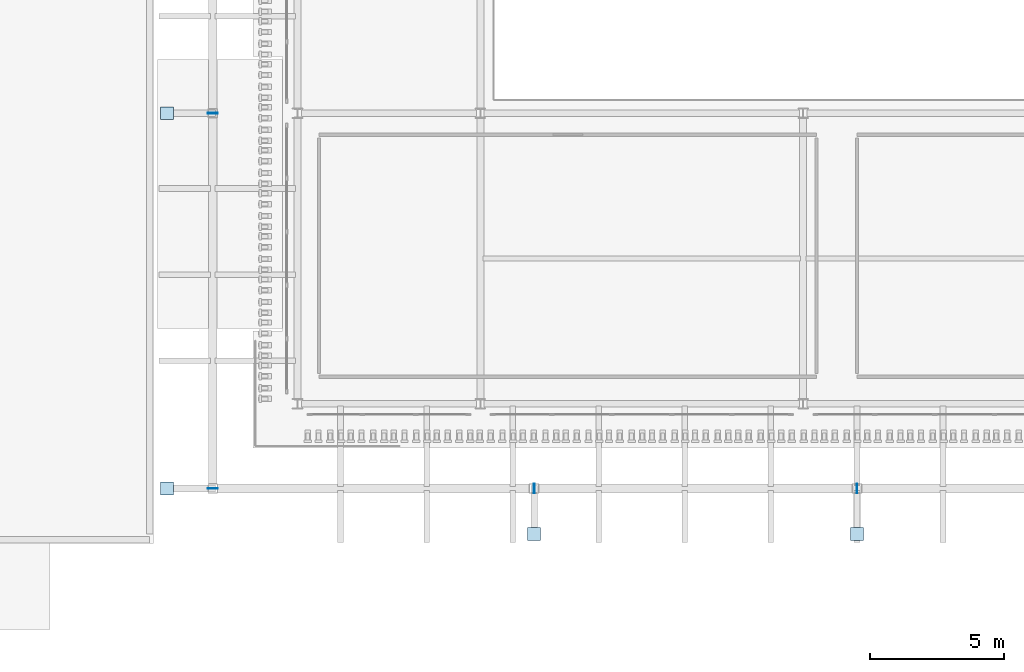
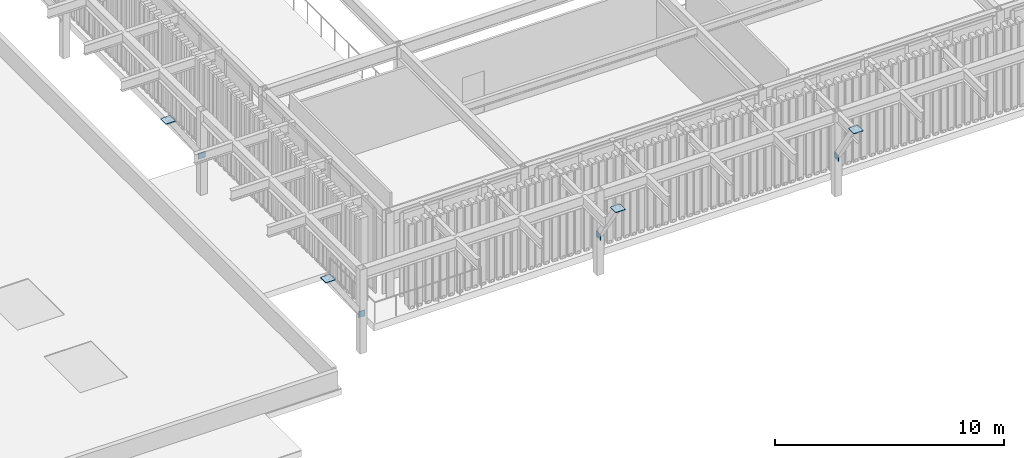
# One storey, part 81 of 126: 8 plates.
"""IFC4 building model written with IfcOpenShell, lengths in metres."""

import ifcopenshell
import ifcopenshell.guid

model = None  # the IFC model being written
_history = None  # IfcOwnerHistory: only IFC2X3 demands one
_inside = {}  # id of a spatial element -> (the spatial element, [elements in it])
_under = {}  # id of a project, library or spatial element -> (it, [spatial elements below it])
_declared = {}  # id of a project -> (the project, [libraries it declares])
_typed = {}  # id of a type object -> (the type object, [elements of that type])
_made_of = {}  # id of a material, layer set ... -> (it, [elements and type objects made of it])


def new_model(schema):
    """Start an empty IFC model of exactly this schema.

    Asked for "IFC4X3", IfcOpenShell would pick the latest addendum, in which some entities
    have other attributes; the version numbers below select the first issue.
    IFC2X3 requires an IfcOwnerHistory on every rooted entity: one is made here for all.
    """
    global model, _history
    if schema == "IFC4X3":
        model = ifcopenshell.file(schema_version=(4, 3, 0, 0))
    else:
        model = ifcopenshell.file(schema=schema)
    _inside.clear()
    _under.clear()
    _declared.clear()
    _typed.clear()
    _made_of.clear()
    _history = None
    if model.schema == "IFC2X3":
        org = make("IfcOrganization", Name="unknown")
        user = make(
            "IfcPersonAndOrganization",
            ThePerson=make("IfcPerson", FamilyName="unknown"),
            TheOrganization=org,
        )
        app = make(
            "IfcApplication",
            ApplicationDeveloper=org,
            Version="unknown",
            ApplicationFullName="unknown",
            ApplicationIdentifier="unknown",
        )
        _history = make(
            "IfcOwnerHistory",
            OwningUser=user,
            OwningApplication=app,
            ChangeAction="ADDED",
            CreationDate=0,
        )
    return model


def make(cls, **values):
    """One entity of the class cls with the attributes given. An attribute that is None is left unset."""
    return model.create_entity(
        cls, **{name: value for name, value in values.items() if value is not None}
    )


def rooted(cls, **values):
    """An entity with a GlobalId (a new one), such as an element, a storey or a relation."""
    return make(cls, GlobalId=ifcopenshell.guid.new(), OwnerHistory=_history, **values)


def si_unit(unit_type, name, prefix=None):
    """IfcSIUnit, for example si_unit("LENGTHUNIT", "METRE", prefix="MILLI")."""
    return make("IfcSIUnit", UnitType=unit_type, Prefix=prefix, Name=name)


def derived_unit(unit_type, elements):
    """IfcDerivedUnit: a product of units, each with its exponent."""
    return make(
        "IfcDerivedUnit",
        Elements=[
            make("IfcDerivedUnitElement", Unit=unit, Exponent=power)
            for unit, power in elements
        ],
        UnitType=unit_type,
    )


def assignment(units):
    """IfcUnitAssignment: the units of a project."""
    return None if units is None else make("IfcUnitAssignment", Units=units)


def point(xyz):
    """IfcCartesianPoint."""
    return None if xyz is None else make("IfcCartesianPoint", Coordinates=xyz)


def direction(xyz):
    """IfcDirection."""
    return None if xyz is None else make("IfcDirection", DirectionRatios=xyz)


def frame(location, z_axis=None, x_axis=None):
    """IfcAxis2Placement3D, a coordinate frame: its origin and axes. An axis left out is left unset."""
    return make(
        "IfcAxis2Placement3D",
        Location=point(location),
        Axis=direction(z_axis),
        RefDirection=direction(x_axis),
    )


def frame_2d(location, x_axis=None):
    """IfcAxis2Placement2D, a coordinate frame in the plane: its origin and x axis."""
    return make(
        "IfcAxis2Placement2D", Location=point(location), RefDirection=direction(x_axis)
    )


def origin():
    """The frame at (0, 0, 0) with its axes left unset."""
    return frame((0.0, 0.0, 0.0))


def origin_2d():
    """The frame at (0, 0) in the plane with its x axis left unset."""
    return frame_2d((0.0, 0.0))


def place(relative_to, where):
    """IfcLocalPlacement: puts the frame where relative to a parent placement (None: the world)."""
    return make(
        "IfcLocalPlacement", PlacementRelTo=relative_to, RelativePlacement=where
    )


def context(
    kind, dimensions, precision=None, world=None, true_north=None, identifier=None
):
    """IfcGeometricRepresentationContext, for example the 3D "Model" context."""
    return make(
        "IfcGeometricRepresentationContext",
        ContextIdentifier=identifier,
        ContextType=kind,
        CoordinateSpaceDimension=dimensions,
        Precision=precision,
        WorldCoordinateSystem=world,
        TrueNorth=true_north,
    )


def subcontext(parent, identifier, kind, view, scale=None):
    """IfcGeometricRepresentationSubContext, for example "Body" below "Model"."""
    return make(
        "IfcGeometricRepresentationSubContext",
        ContextIdentifier=identifier,
        ContextType=kind,
        ParentContext=parent,
        TargetScale=scale,
        TargetView=view,
    )


def project(units=None, contexts=None):
    """IfcProject with its units and contexts."""
    return rooted(
        "IfcProject",
        Name="project",
        RepresentationContexts=contexts,
        UnitsInContext=assignment(units),
    )


def spatial(cls, under=None, at=None, **own):
    """A site, building, storey or space (cls), placed at a placement, below another one or the project."""
    s = rooted(cls, ObjectPlacement=at, **own)
    if under is not None:
        _under.setdefault(under.id(), (under, []))[1].append(s)
    return s


def profile(cls, at=None, kind="AREA", **sizes):
    """A parametric profile (cls). Its sizes go by their IFC names, for example OverallWidth=200.0."""
    return make(cls, ProfileType=kind, Position=at, **sizes)


def rectangle(**sizes):
    """IfcRectangleProfileDef."""
    return profile("IfcRectangleProfileDef", **sizes)


def extrude(swept, where, along, depth):
    """IfcExtrudedAreaSolid: the profile swept, set in the frame where, extruded along a direction by depth."""
    return make(
        "IfcExtrudedAreaSolid",
        SweptArea=swept,
        Position=where,
        ExtrudedDirection=direction(along),
        Depth=depth,
    )


def shape(context_of_items, identifier, shape_type, items):
    """IfcShapeRepresentation: the items that make up one representation, for example the "Body"."""
    return make(
        "IfcShapeRepresentation",
        ContextOfItems=context_of_items,
        RepresentationIdentifier=identifier,
        RepresentationType=shape_type,
        Items=items,
    )


def material(Name=None, Category=None):
    """IfcMaterial."""
    return make("IfcMaterial", Name=Name, Category=Category)


def layer(
    of_material, thickness, ventilated=None, Name=None, Category=None, Priority=None
):
    """IfcMaterialLayer: one layer of a wall or slab, of a material (None: an air gap)."""
    return make(
        "IfcMaterialLayer",
        Material=of_material,
        LayerThickness=thickness,
        IsVentilated=ventilated,
        Name=Name,
        Category=Category,
        Priority=Priority,
    )


def layer_set(layers, Name=None):
    """IfcMaterialLayerSet."""
    return make("IfcMaterialLayerSet", MaterialLayers=layers, LayerSetName=Name)


def made_of(thing, what):
    """Note that an element or type object is made of a material, layer set ...; save() writes the relation."""
    if what is not None:
        _made_of.setdefault(what.id(), (what, []))[1].append(thing)
    return thing


def type_object(cls, material=None, **own):
    """A type object (cls), such as IfcWallType, which elements share."""
    return made_of(rooted(cls, **own), material)


def element(
    cls,
    number,
    at=None,
    inside=None,
    cuts=None,
    type_object=None,
    material=None,
    context=None,
    identifier="Body",
    shape_type=None,
    held_by="IfcProductDefinitionShape",
    body=None,
    shapes=None,
    **own,
):
    """One element of the class cls, such as IfcWall. Its Tag is "e" and its number.

    at: its placement. inside: the storey or other place that contains it. cuts: it is an
    opening in that element (IfcRelVoidsElement). A single representation is given by context,
    identifier, shape_type and body (its items); several are given by shapes. held_by: the class
    of the entity that holds the representations. save() writes the other relations.
    """
    e = rooted(cls, Tag="e%d" % number, ObjectPlacement=at, **own)
    if body is not None:
        shapes = [shape(context, identifier, shape_type, body)]
    if shapes is not None:
        e.Representation = make(held_by, Representations=shapes)
    if inside is not None:
        _inside.setdefault(inside.id(), (inside, []))[1].append(e)
    if cuts is not None:
        rooted(
            "IfcRelVoidsElement", RelatingBuildingElement=cuts, RelatedOpeningElement=e
        )
    if type_object is not None:
        _typed.setdefault(type_object.id(), (type_object, []))[1].append(e)
    return made_of(e, material)


def aggregate(whole, parts):
    """IfcRelAggregates: a whole, such as a stair, and the parts it consists of."""
    return rooted("IfcRelAggregates", RelatingObject=whole, RelatedObjects=parts)


def save(model, path):
    """Write the relations noted so far, then the file.

    IfcRelAggregates (storeys below a building ...), IfcRelContainedInSpatialStructure (elements
    in a storey), IfcRelDefinesByType, IfcRelAssociatesMaterial and IfcRelDeclares: one each for
    every whole, place, type object, material and project.
    """
    for whole, parts in _under.values():
        aggregate(whole, parts)
    for where, things in _inside.values():
        rooted(
            "IfcRelContainedInSpatialStructure",
            RelatedElements=things,
            RelatingStructure=where,
        )
    for kind, things in _typed.values():
        rooted("IfcRelDefinesByType", RelatedObjects=things, RelatingType=kind)
    for what, things in _made_of.values():
        rooted("IfcRelAssociatesMaterial", RelatedObjects=things, RelatingMaterial=what)
    for by, libraries in _declared.values():
        rooted("IfcRelDeclares", RelatingContext=by, RelatedDefinitions=libraries)
    model.write(path)


model = new_model("IFC4")

# Units and contexts
model_context = context("Model", 3, precision=1e-05, world=origin(), true_north=direction((0.0, 1.0)))
body_context = subcontext(model_context, "Body", "Model", "MODEL_VIEW")
ifc_project = project(units=[si_unit("LENGTHUNIT", "METRE"), si_unit("AREAUNIT", "SQUARE_METRE"), si_unit("VOLUMEUNIT", "CUBIC_METRE"), si_unit("PLANEANGLEUNIT", "RADIAN"), si_unit("MASSUNIT", "GRAM", prefix="KILO"), derived_unit("THERMALTRANSMITTANCEUNIT", [(si_unit("MASSUNIT", "GRAM", prefix="KILO"), 1), (si_unit("TIMEUNIT", "SECOND"), -3), (si_unit("THERMODYNAMICTEMPERATUREUNIT", "KELVIN"), -1)])], contexts=[model_context])

# Site, building, storey
site_placement = place(None, origin())
site = spatial("IfcSite", under=ifc_project, at=site_placement, CompositionType="ELEMENT")
building_placement = place(site_placement, origin())
building = spatial("IfcBuilding", under=site, at=building_placement, Name="Valcora Ridge Arena", CompositionType="ELEMENT")
storey_placement = place(building_placement, frame((0.0, 0.0, 11.39990234375)))
storey = spatial("IfcBuildingStorey", under=building, at=storey_placement, Name="L02", CompositionType="ELEMENT", Elevation=11.39990234375)

# Plates
ifc_material = material(Name="Steel ASTM A572 Grade 50", Category="steel")
ifc_layer_1 = layer(ifc_material, 0.031982421875, Name="Steel ASTM A572 Grade 50")
ifc_layer_set_1 = layer_set([ifc_layer_1], Name="Steel ASTM A572 Grade 50")
plate_type_1 = type_object("IfcPlateType", Name="TY-PLATE-PL-CAP-450", PredefinedType="USERDEFINED", material=ifc_layer_set_1)
for number, where, z_axis, x_axis, name in (
    (1, (132.35009765625, 2.050048828125, 4.4482421875), (0.0, 0.0, 1.0), (1.0, 0.0, 0.0), "PL-CAP-450 KB-GP-0001"),
    (2, (132.35009765625, 16.0, 4.4482421875), (0.0, 0.0, 1.0), (1.0, 0.0, 0.0), "PL-CAP-450 KB-GP-0003"),
    (3, (146.0, 0.35009765625, 4.4482421875), (0.0, 0.0, 1.0), (1.0, 0.0, 0.0), "PL-CAP-450 KB-GP-0015"),
    (4, (158.0, 0.35009765625, 4.4482421875), (0.0, 0.0, 1.0), (1.0, 0.0, 0.0), "PL-CAP-450 KB-GP-0016"),
):
    element("IfcPlate", number, at=place(storey_placement, frame(where, z_axis=z_axis, x_axis=x_axis)), inside=storey, type_object=plate_type_1, Name=name, ObjectType="GUSSET_PLATE", PredefinedType="USERDEFINED", context=body_context, shape_type="SweptSolid", body=[
        extrude(rectangle(XDim=0.47998046875, YDim=0.47998046875, at=origin_2d()), origin(), (0.0, 0.0, 1.0), 0.031982421875),
    ])
ifc_layer_2 = layer(ifc_material, 0.02490234375, Name="Steel ASTM A572 Grade 50")
ifc_layer_set_2 = layer_set([ifc_layer_2], Name="Steel ASTM A572 Grade 50")
plate_type_2 = type_object("IfcPlateType", Name="TY-PLATE-PL-GUS-25E", PredefinedType="USERDEFINED", material=ifc_layer_set_2)
for number, where, z_axis, x_axis, name in (
    (5, (134.050048828125, 2.050048828125, 1.83984375), (0.0, 0.0, 1.0), (1.0, 0.0, 0.0), "PL-GUS-25E KB-GP-0019"),
    (6, (134.050048828125, 16.0, 1.83984375), (0.0, 0.0, 1.0), (1.0, 0.0, 0.0), "PL-GUS-25E KB-GP-0021"),
):
    element("IfcPlate", number, at=place(storey_placement, frame(where, z_axis=z_axis, x_axis=x_axis)), inside=storey, type_object=plate_type_2, Name=name, ObjectType="GUSSET_PLATE", PredefinedType="USERDEFINED", context=body_context, shape_type="SweptSolid", body=[
        extrude(rectangle(XDim=0.360107421875, YDim=0.02490234375, at=origin_2d()), origin(), (0.0, 0.0, 1.0), 0.320068359375),
    ])
for number, where, z_axis, x_axis, name in (
    (7, (146.0, 2.050048828125, 1.83984375), (0.0, 0.0, 1.0), (1.0, 0.0, 0.0), "PL-GUS-25E KB-GP-0033"),
    (8, (158.0, 2.050048828125, 1.83984375), (0.0, 0.0, 1.0), (1.0, 0.0, 0.0), "PL-GUS-25E KB-GP-0034"),
):
    element("IfcPlate", number, at=place(storey_placement, frame(where, z_axis=z_axis, x_axis=x_axis)), inside=storey, type_object=plate_type_2, Name=name, ObjectType="GUSSET_PLATE", PredefinedType="USERDEFINED", context=body_context, shape_type="SweptSolid", body=[
        extrude(rectangle(XDim=0.02490234375, YDim=0.360107421875, at=origin_2d()), origin(), (0.0, 0.0, 1.0), 0.320068359375),
    ])

save(model, "model.ifc")
